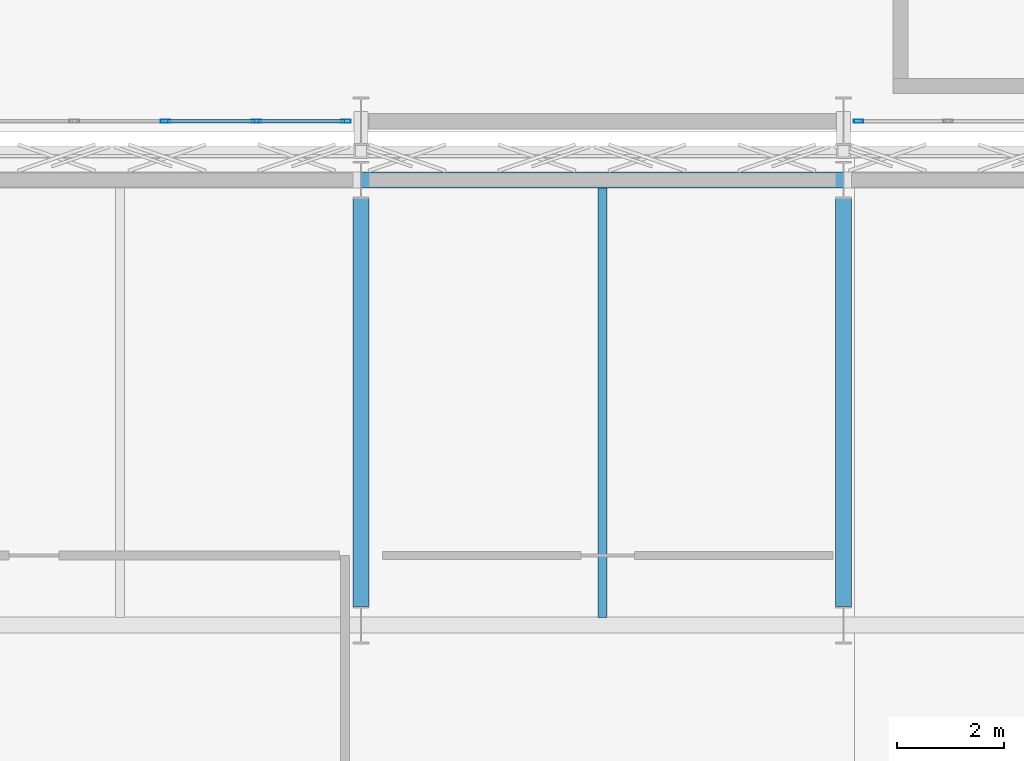
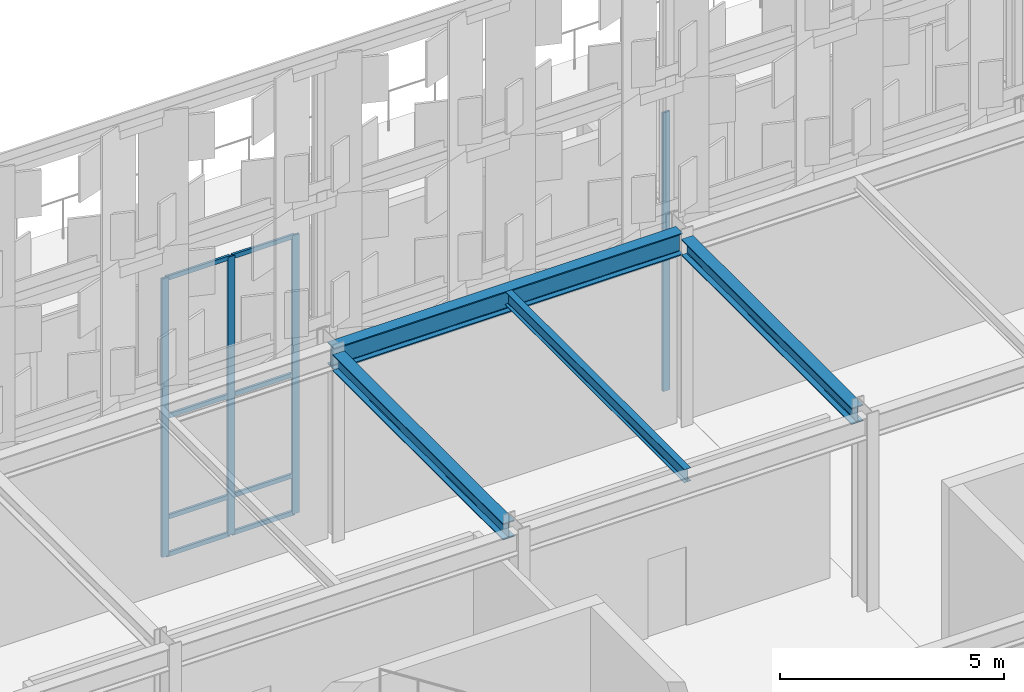
# One storey, part 70 of 210: 12 members, 4 beams, 2 elements without a shape of their own.
"""IFC4 building model written with IfcOpenShell, lengths in metres."""

import ifcopenshell
import ifcopenshell.guid

model = None  # the IFC model being written
_history = None  # IfcOwnerHistory: only IFC2X3 demands one
_inside = {}  # id of a spatial element -> (the spatial element, [elements in it])
_under = {}  # id of a project, library or spatial element -> (it, [spatial elements below it])
_declared = {}  # id of a project -> (the project, [libraries it declares])
_typed = {}  # id of a type object -> (the type object, [elements of that type])
_made_of = {}  # id of a material, layer set ... -> (it, [elements and type objects made of it])


def new_model(schema):
    """Start an empty IFC model of exactly this schema.

    Asked for "IFC4X3", IfcOpenShell would pick the latest addendum, in which some entities
    have other attributes; the version numbers below select the first issue.
    IFC2X3 requires an IfcOwnerHistory on every rooted entity: one is made here for all.
    """
    global model, _history
    if schema == "IFC4X3":
        model = ifcopenshell.file(schema_version=(4, 3, 0, 0))
    else:
        model = ifcopenshell.file(schema=schema)
    _inside.clear()
    _under.clear()
    _declared.clear()
    _typed.clear()
    _made_of.clear()
    _history = None
    if model.schema == "IFC2X3":
        org = make("IfcOrganization", Name="unknown")
        user = make(
            "IfcPersonAndOrganization",
            ThePerson=make("IfcPerson", FamilyName="unknown"),
            TheOrganization=org,
        )
        app = make(
            "IfcApplication",
            ApplicationDeveloper=org,
            Version="unknown",
            ApplicationFullName="unknown",
            ApplicationIdentifier="unknown",
        )
        _history = make(
            "IfcOwnerHistory",
            OwningUser=user,
            OwningApplication=app,
            ChangeAction="ADDED",
            CreationDate=0,
        )
    return model


def make(cls, **values):
    """One entity of the class cls with the attributes given. An attribute that is None is left unset."""
    return model.create_entity(
        cls, **{name: value for name, value in values.items() if value is not None}
    )


def rooted(cls, **values):
    """An entity with a GlobalId (a new one), such as an element, a storey or a relation."""
    return make(cls, GlobalId=ifcopenshell.guid.new(), OwnerHistory=_history, **values)


def si_unit(unit_type, name, prefix=None):
    """IfcSIUnit, for example si_unit("LENGTHUNIT", "METRE", prefix="MILLI")."""
    return make("IfcSIUnit", UnitType=unit_type, Prefix=prefix, Name=name)


def assignment(units):
    """IfcUnitAssignment: the units of a project."""
    return None if units is None else make("IfcUnitAssignment", Units=units)


def point(xyz):
    """IfcCartesianPoint."""
    return None if xyz is None else make("IfcCartesianPoint", Coordinates=xyz)


def direction(xyz):
    """IfcDirection."""
    return None if xyz is None else make("IfcDirection", DirectionRatios=xyz)


def frame(location, z_axis=None, x_axis=None):
    """IfcAxis2Placement3D, a coordinate frame: its origin and axes. An axis left out is left unset."""
    return make(
        "IfcAxis2Placement3D",
        Location=point(location),
        Axis=direction(z_axis),
        RefDirection=direction(x_axis),
    )


def frame_2d(location, x_axis=None):
    """IfcAxis2Placement2D, a coordinate frame in the plane: its origin and x axis."""
    return make(
        "IfcAxis2Placement2D", Location=point(location), RefDirection=direction(x_axis)
    )


def origin():
    """The frame at (0, 0, 0) with its axes left unset."""
    return frame((0.0, 0.0, 0.0))


def origin_2d():
    """The frame at (0, 0) in the plane with its x axis left unset."""
    return frame_2d((0.0, 0.0))


def place(relative_to, where):
    """IfcLocalPlacement: puts the frame where relative to a parent placement (None: the world)."""
    return make(
        "IfcLocalPlacement", PlacementRelTo=relative_to, RelativePlacement=where
    )


def context(
    kind, dimensions, precision=None, world=None, true_north=None, identifier=None
):
    """IfcGeometricRepresentationContext, for example the 3D "Model" context."""
    return make(
        "IfcGeometricRepresentationContext",
        ContextIdentifier=identifier,
        ContextType=kind,
        CoordinateSpaceDimension=dimensions,
        Precision=precision,
        WorldCoordinateSystem=world,
        TrueNorth=true_north,
    )


def subcontext(parent, identifier, kind, view, scale=None):
    """IfcGeometricRepresentationSubContext, for example "Body" below "Model"."""
    return make(
        "IfcGeometricRepresentationSubContext",
        ContextIdentifier=identifier,
        ContextType=kind,
        ParentContext=parent,
        TargetScale=scale,
        TargetView=view,
    )


def project(units=None, contexts=None):
    """IfcProject with its units and contexts."""
    return rooted(
        "IfcProject",
        Name="project",
        RepresentationContexts=contexts,
        UnitsInContext=assignment(units),
    )


def spatial(cls, under=None, at=None, **own):
    """A site, building, storey or space (cls), placed at a placement, below another one or the project."""
    s = rooted(cls, ObjectPlacement=at, **own)
    if under is not None:
        _under.setdefault(under.id(), (under, []))[1].append(s)
    return s


def profile(cls, at=None, kind="AREA", **sizes):
    """A parametric profile (cls). Its sizes go by their IFC names, for example OverallWidth=200.0."""
    return make(cls, ProfileType=kind, Position=at, **sizes)


def hollow_rectangle(**sizes):
    """IfcRectangleHollowProfileDef."""
    return profile("IfcRectangleHollowProfileDef", **sizes)


def i_section(**sizes):
    """IfcIShapeProfileDef."""
    return profile("IfcIShapeProfileDef", **sizes)


def extrude(swept, where, along, depth):
    """IfcExtrudedAreaSolid: the profile swept, set in the frame where, extruded along a direction by depth."""
    return make(
        "IfcExtrudedAreaSolid",
        SweptArea=swept,
        Position=where,
        ExtrudedDirection=direction(along),
        Depth=depth,
    )


def shape(context_of_items, identifier, shape_type, items):
    """IfcShapeRepresentation: the items that make up one representation, for example the "Body"."""
    return make(
        "IfcShapeRepresentation",
        ContextOfItems=context_of_items,
        RepresentationIdentifier=identifier,
        RepresentationType=shape_type,
        Items=items,
    )


def material(Name=None, Category=None):
    """IfcMaterial."""
    return make("IfcMaterial", Name=Name, Category=Category)


def material_profile(
    of_material, cross_section, Name=None, Category=None, Priority=None
):
    """IfcMaterialProfile: a cross section and its material."""
    return make(
        "IfcMaterialProfile",
        Name=Name,
        Material=of_material,
        Profile=cross_section,
        Priority=Priority,
        Category=Category,
    )


def profile_set(profiles, Name=None, composite=None):
    """IfcMaterialProfileSet."""
    return make(
        "IfcMaterialProfileSet",
        Name=Name,
        MaterialProfiles=profiles,
        CompositeProfile=composite,
    )


def made_of(thing, what):
    """Note that an element or type object is made of a material, layer set ...; save() writes the relation."""
    if what is not None:
        _made_of.setdefault(what.id(), (what, []))[1].append(thing)
    return thing


def type_object(cls, material=None, **own):
    """A type object (cls), such as IfcWallType, which elements share."""
    return made_of(rooted(cls, **own), material)


def element(
    cls,
    number,
    at=None,
    inside=None,
    cuts=None,
    type_object=None,
    material=None,
    context=None,
    identifier="Body",
    shape_type=None,
    held_by="IfcProductDefinitionShape",
    body=None,
    shapes=None,
    **own,
):
    """One element of the class cls, such as IfcWall. Its Tag is "e" and its number.

    at: its placement. inside: the storey or other place that contains it. cuts: it is an
    opening in that element (IfcRelVoidsElement). A single representation is given by context,
    identifier, shape_type and body (its items); several are given by shapes. held_by: the class
    of the entity that holds the representations. save() writes the other relations.
    """
    e = rooted(cls, Tag="e%d" % number, ObjectPlacement=at, **own)
    if body is not None:
        shapes = [shape(context, identifier, shape_type, body)]
    if shapes is not None:
        e.Representation = make(held_by, Representations=shapes)
    if inside is not None:
        _inside.setdefault(inside.id(), (inside, []))[1].append(e)
    if cuts is not None:
        rooted(
            "IfcRelVoidsElement", RelatingBuildingElement=cuts, RelatedOpeningElement=e
        )
    if type_object is not None:
        _typed.setdefault(type_object.id(), (type_object, []))[1].append(e)
    return made_of(e, material)


def aggregate(whole, parts):
    """IfcRelAggregates: a whole, such as a stair, and the parts it consists of."""
    return rooted("IfcRelAggregates", RelatingObject=whole, RelatedObjects=parts)


def save(model, path):
    """Write the relations noted so far, then the file.

    IfcRelAggregates (storeys below a building ...), IfcRelContainedInSpatialStructure (elements
    in a storey), IfcRelDefinesByType, IfcRelAssociatesMaterial and IfcRelDeclares: one each for
    every whole, place, type object, material and project.
    """
    for whole, parts in _under.values():
        aggregate(whole, parts)
    for where, things in _inside.values():
        rooted(
            "IfcRelContainedInSpatialStructure",
            RelatedElements=things,
            RelatingStructure=where,
        )
    for kind, things in _typed.values():
        rooted("IfcRelDefinesByType", RelatedObjects=things, RelatingType=kind)
    for what, things in _made_of.values():
        rooted("IfcRelAssociatesMaterial", RelatedObjects=things, RelatingMaterial=what)
    for by, libraries in _declared.values():
        rooted("IfcRelDeclares", RelatingContext=by, RelatedDefinitions=libraries)
    model.write(path)


model = new_model("IFC4")

# Units and contexts
model_context = context("Model", 3, precision=1e-05, world=origin(), true_north=direction((0.0, 1.0)))
body_context = subcontext(model_context, "Body", "Model", "MODEL_VIEW")
ifc_project = project(units=[si_unit("LENGTHUNIT", "METRE"), si_unit("AREAUNIT", "SQUARE_METRE"), si_unit("VOLUMEUNIT", "CUBIC_METRE"), si_unit("PLANEANGLEUNIT", "RADIAN"), si_unit("MASSUNIT", "GRAM", prefix="KILO")], contexts=[model_context])

# Site, building, storey
site_placement = place(None, origin())
site = spatial("IfcSite", under=ifc_project, at=site_placement, CompositionType="ELEMENT")
building_placement = place(site_placement, origin())
building = spatial("IfcBuilding", under=site, at=building_placement, Name="Kaldris Quays Convention Centre", CompositionType="ELEMENT")
storey_placement = place(building_placement, frame((0.0, 0.0, 6.0)))
storey = spatial("IfcBuildingStorey", under=building, at=storey_placement, Name="L01", CompositionType="ELEMENT", Elevation=6.0)

# Curtain wall, members
ifc_material_1 = material(Name="Anodized aluminium AW-6060 and triple glazing", Category="aluminium")
curtain_wall_type = type_object("IfcCurtainWallType", Name="UNITISED CURTAIN WALL CW03", PredefinedType="NOTDEFINED", material=ifc_material_1)
curtain_wall_1_placement = place(storey_placement, origin())
curtain_wall_1 = element("IfcCurtainWall", 1, at=curtain_wall_1_placement, inside=storey, type_object=curtain_wall_type, Name="L01 Unitised Curtain Wall CW03 11", PredefinedType="NOTDEFINED")
ifc_material_2 = material(Name="Anodized aluminium AW-6060", Category="aluminium")
ifc_material_profile_1 = material_profile(ifc_material_2, hollow_rectangle(XDim=0.06005859375, YDim=0.179931640625, WallThickness=0.0048828125, at=origin_2d()), Name="RHS 180x60x5")
ifc_profile_set_1 = profile_set([ifc_material_profile_1], Name="Anodized aluminium AW-6060")
member_type_1 = type_object("IfcMemberType", Name="CURTAIN MULLION CWM2", PredefinedType="MULLION", material=ifc_profile_set_1)
member_1_placement = place(storey_placement, frame((115.35009765625, 56.0, 0.0), z_axis=(0.0, 0.0, 1.0), x_axis=(0.0, 1.0, 0.0)))
member_1 = element("IfcMember", 2, at=member_1_placement, type_object=member_type_1, Name="CW03 mullion 4", PredefinedType="MULLION", context=body_context, shape_type="SweptSolid", body=[
    extrude(hollow_rectangle(XDim=0.06005859375, YDim=0.179931640625, WallThickness=0.0048828125, at=origin_2d()), origin(), (0.0, 0.0, 1.0), 7.60009765625),
])
member_2_placement = place(storey_placement, frame((117.050048828125, 56.0, 0.0), z_axis=(0.0, 0.0, 1.0), x_axis=(0.0, 1.0, 0.0)))
member_2 = element("IfcMember", 3, at=member_2_placement, type_object=member_type_1, Name="CW03 mullion 5", PredefinedType="MULLION", context=body_context, shape_type="SweptSolid", body=[
    extrude(hollow_rectangle(XDim=0.06005859375, YDim=0.179931640625, WallThickness=0.0048828125, at=origin_2d()), origin(), (0.0, 0.0, 1.0), 7.60009765625),
])
member_3_placement = place(storey_placement, frame((118.719970703125, 56.0, 0.0), z_axis=(0.0, 0.0, 1.0), x_axis=(0.0, 1.0, 0.0)))
member_3 = element("IfcMember", 4, at=member_3_placement, type_object=member_type_1, Name="CW03 mullion 6", PredefinedType="MULLION", context=body_context, shape_type="SweptSolid", body=[
    extrude(hollow_rectangle(XDim=0.06005859375, YDim=0.179931640625, WallThickness=0.0048828125, at=origin_2d()), origin(), (0.0, 0.0, 1.0), 7.60009765625),
])

# Curtain wall, member
curtain_wall_2_placement = place(storey_placement, origin())
curtain_wall_2 = element("IfcCurtainWall", 5, at=curtain_wall_2_placement, inside=storey, type_object=curtain_wall_type, Name="L01 Unitised Curtain Wall CW03 13", PredefinedType="NOTDEFINED")
member_4_placement = place(storey_placement, frame((128.280029296875, 56.0, 0.0), z_axis=(0.0, 0.0, 1.0), x_axis=(0.0, 1.0, 0.0)))
member_4 = element("IfcMember", 6, at=member_4_placement, type_object=member_type_1, Name="CW03 mullion 1", PredefinedType="MULLION", context=body_context, shape_type="SweptSolid", body=[
    extrude(hollow_rectangle(XDim=0.06005859375, YDim=0.179931640625, WallThickness=0.0048828125, at=origin_2d()), origin(), (0.0, 0.0, 1.0), 7.60009765625),
])
aggregate(curtain_wall_2, [member_4])

# Member
ifc_material_profile_2 = material_profile(ifc_material_2, hollow_rectangle(XDim=0.06005859375, YDim=0.1201171875, WallThickness=0.00390625, at=origin_2d()), Name="RHS 120x60x4")
ifc_profile_set_2 = profile_set([ifc_material_profile_2], Name="Anodized aluminium AW-6060")
member_type_2 = type_object("IfcMemberType", Name="CURTAIN TRANSOM CWT1", PredefinedType="USERDEFINED", material=ifc_profile_set_2)
member_5_placement = place(storey_placement, frame((115.3798828125, 56.0, 0.030029296875), z_axis=(1.0, 0.0, 0.0), x_axis=(0.0, 1.0, 0.0)))
member_5 = element("IfcMember", 7, at=member_5_placement, type_object=member_type_2, Name="CW03 transom 4.1", ObjectType="TRANSOM", PredefinedType="USERDEFINED", context=body_context, shape_type="SweptSolid", body=[
    extrude(hollow_rectangle(XDim=0.06005859375, YDim=0.1201171875, WallThickness=0.00390625, at=origin_2d()), origin(), (0.0, 0.0, 1.0), 1.64013671875),
])

member_6_placement = place(storey_placement, frame((115.3798828125, 56.0, 1.050048828125), z_axis=(1.0, 0.0, 0.0), x_axis=(0.0, 1.0, 0.0)))
member_6 = element("IfcMember", 8, at=member_6_placement, type_object=member_type_2, Name="CW03 transom 4.2", ObjectType="TRANSOM", PredefinedType="USERDEFINED", context=body_context, shape_type="SweptSolid", body=[
    extrude(hollow_rectangle(XDim=0.06005859375, YDim=0.1201171875, WallThickness=0.00390625, at=origin_2d()), origin(), (0.0, 0.0, 1.0), 1.64013671875),
])

member_7_placement = place(storey_placement, frame((115.3798828125, 56.0, 3.800048828125), z_axis=(1.0, 0.0, 0.0), x_axis=(0.0, 1.0, 0.0)))
member_7 = element("IfcMember", 9, at=member_7_placement, type_object=member_type_2, Name="CW03 transom 4.3", ObjectType="TRANSOM", PredefinedType="USERDEFINED", context=body_context, shape_type="SweptSolid", body=[
    extrude(hollow_rectangle(XDim=0.06005859375, YDim=0.1201171875, WallThickness=0.00390625, at=origin_2d()), origin(), (0.0, 0.0, 1.0), 1.64013671875),
])

member_8_placement = place(storey_placement, frame((115.3798828125, 56.0, 7.570068359375), z_axis=(1.0, 0.0, 0.0), x_axis=(0.0, 1.0, 0.0)))
member_8 = element("IfcMember", 10, at=member_8_placement, type_object=member_type_2, Name="CW03 transom 4.4", ObjectType="TRANSOM", PredefinedType="USERDEFINED", context=body_context, shape_type="SweptSolid", body=[
    extrude(hollow_rectangle(XDim=0.06005859375, YDim=0.1201171875, WallThickness=0.00390625, at=origin_2d()), origin(), (0.0, 0.0, 1.0), 1.64013671875),
])

member_9_placement = place(storey_placement, frame((117.080078125, 56.0, 0.030029296875), z_axis=(1.0, 0.0, 0.0), x_axis=(0.0, 1.0, 0.0)))
member_9 = element("IfcMember", 11, at=member_9_placement, type_object=member_type_2, Name="CW03 transom 5.1", ObjectType="TRANSOM", PredefinedType="USERDEFINED", context=body_context, shape_type="SweptSolid", body=[
    extrude(hollow_rectangle(XDim=0.06005859375, YDim=0.1201171875, WallThickness=0.00390625, at=origin_2d()), origin(), (0.0, 0.0, 1.0), 1.60986328125),
])

member_10_placement = place(storey_placement, frame((117.080078125, 56.0, 1.050048828125), z_axis=(1.0, 0.0, 0.0), x_axis=(0.0, 1.0, 0.0)))
member_10 = element("IfcMember", 12, at=member_10_placement, type_object=member_type_2, Name="CW03 transom 5.2", ObjectType="TRANSOM", PredefinedType="USERDEFINED", context=body_context, shape_type="SweptSolid", body=[
    extrude(hollow_rectangle(XDim=0.06005859375, YDim=0.1201171875, WallThickness=0.00390625, at=origin_2d()), origin(), (0.0, 0.0, 1.0), 1.60986328125),
])

member_11_placement = place(storey_placement, frame((117.080078125, 56.0, 3.800048828125), z_axis=(1.0, 0.0, 0.0), x_axis=(0.0, 1.0, 0.0)))
member_11 = element("IfcMember", 13, at=member_11_placement, type_object=member_type_2, Name="CW03 transom 5.3", ObjectType="TRANSOM", PredefinedType="USERDEFINED", context=body_context, shape_type="SweptSolid", body=[
    extrude(hollow_rectangle(XDim=0.06005859375, YDim=0.1201171875, WallThickness=0.00390625, at=origin_2d()), origin(), (0.0, 0.0, 1.0), 1.60986328125),
])

member_12_placement = place(storey_placement, frame((117.080078125, 56.0, 7.570068359375), z_axis=(1.0, 0.0, 0.0), x_axis=(0.0, 1.0, 0.0)))
member_12 = element("IfcMember", 14, at=member_12_placement, type_object=member_type_2, Name="CW03 transom 5.4", ObjectType="TRANSOM", PredefinedType="USERDEFINED", context=body_context, shape_type="SweptSolid", body=[
    extrude(hollow_rectangle(XDim=0.06005859375, YDim=0.1201171875, WallThickness=0.00390625, at=origin_2d()), origin(), (0.0, 0.0, 1.0), 1.60986328125),
])

aggregate(curtain_wall_1, [member_1, member_2, member_3, member_5, member_6, member_7, member_8, member_9, member_10, member_11, member_12])

# Beams
ifc_material_3 = material(Name="Steel S355J2", Category="steel")
ifc_material_profile_3 = material_profile(ifc_material_3, i_section(OverallWidth=0.300048828125, OverallDepth=0.60009765625, WebThickness=0.015380859375, FlangeThickness=0.030029296875, FilletRadius=0.027099609375, at=origin_2d()), Name="HEB 600")
ifc_profile_set_3 = profile_set([ifc_material_profile_3], Name="Steel S355J2")
beam_type_1 = type_object("IfcBeamType", Name="STRUCTURAL BEAM BM05", PredefinedType="BEAM", material=ifc_profile_set_3)
beam_1_placement = place(storey_placement, frame((119.00244140625, 54.89990234375, 4.843017578125), z_axis=(1.0, 0.0, 0.0), x_axis=(0.0, 1.0, 0.0)))
element("IfcBeam", 15, at=beam_1_placement, inside=storey, type_object=beam_type_1, Name="L01 Girder BM05 23", PredefinedType="BEAM", context=body_context, shape_type="SweptSolid", body=[
    extrude(i_section(OverallWidth=0.300048828125, OverallDepth=0.60009765625, WebThickness=0.015380859375, FlangeThickness=0.030029296875, FilletRadius=0.027099609375, at=origin_2d()), origin(), (0.0, 0.0, 1.0), 8.9951171875),
])
ifc_material_profile_4 = material_profile(ifc_material_3, i_section(OverallWidth=0.300048828125, OverallDepth=0.449951171875, WebThickness=0.013916015625, FlangeThickness=0.02587890625, FilletRadius=0.027099609375, at=origin_2d()), Name="HEB 450")
ifc_profile_set_4 = profile_set([ifc_material_profile_4], Name="Steel S355J2")
beam_type_2 = type_object("IfcBeamType", Name="STRUCTURAL BEAM BM07", PredefinedType="BEAM", material=ifc_profile_set_4)
for number, where, z_axis, x_axis, name in (
    (16, (119.0, 46.944091796875, 4.91796875), (0.0, 1.0, 0.0), (-1.0, 0.0, 0.0), "L01 Girder BM07 61"),
    (17, (128.0, 46.944091796875, 4.91796875), (0.0, 1.0, 0.0), (-1.0, 0.0, 0.0), "L01 Girder BM07 62"),
):
    element("IfcBeam", number, at=place(storey_placement, frame(where, z_axis=z_axis, x_axis=x_axis)), inside=storey, type_object=beam_type_2, Name=name, PredefinedType="BEAM", context=body_context, shape_type="SweptSolid", body=[
        extrude(i_section(OverallWidth=0.300048828125, OverallDepth=0.449951171875, WebThickness=0.013916015625, FlangeThickness=0.02587890625, FilletRadius=0.027099609375, at=origin_2d()), origin(), (0.0, 0.0, 1.0), 7.61181640625),
    ])
ifc_material_profile_5 = material_profile(ifc_material_3, i_section(OverallWidth=0.169921875, OverallDepth=0.360107421875, WebThickness=0.008056640625, FlangeThickness=0.0126953125, FilletRadius=0.01806640625, at=origin_2d()), Name="IPE 360")
ifc_profile_set_5 = profile_set([ifc_material_profile_5], Name="Steel S355J2")
beam_type_3 = type_object("IfcBeamType", Name="STRUCTURAL BEAM JT03", PredefinedType="JOIST", material=ifc_profile_set_5)
beam_2_placement = place(storey_placement, frame((123.5, 46.743896484375, 4.962890625), z_axis=(0.0, 1.0, 0.0), x_axis=(-1.0, 0.0, 0.0)))
element("IfcBeam", 18, at=beam_2_placement, inside=storey, type_object=beam_type_3, Name="L01 Secondary Joist JT03 7", PredefinedType="JOIST", context=body_context, shape_type="SweptSolid", body=[
    extrude(i_section(OverallWidth=0.169921875, OverallDepth=0.360107421875, WebThickness=0.008056640625, FlangeThickness=0.0126953125, FilletRadius=0.01806640625, at=origin_2d()), origin(), (0.0, 0.0, 1.0), 8.01220703125),
])

save(model, "model.ifc")
